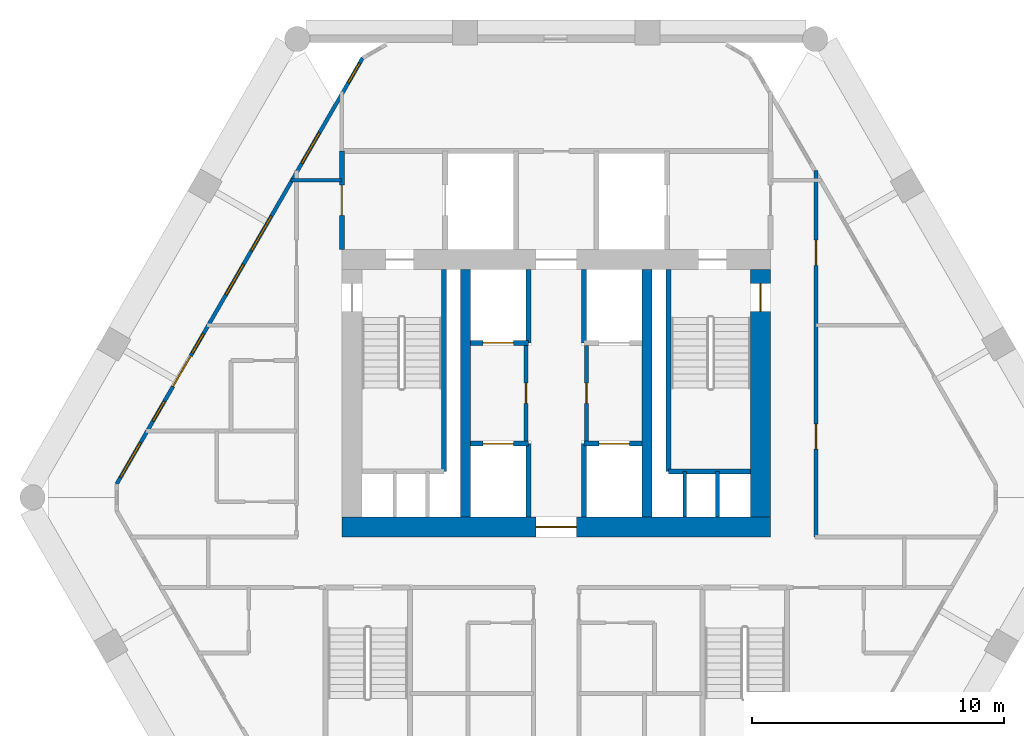
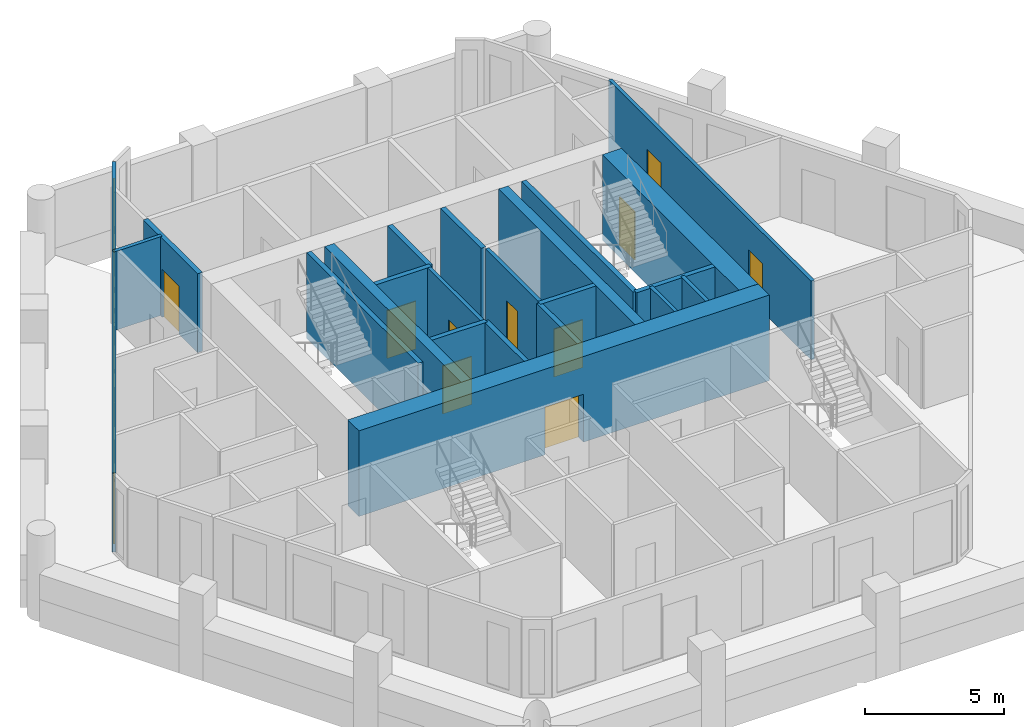
# One storey, part 4 of 7: 22 walls, 11 doors, 7 windows, 18 openings.
"""IFC4 building model written with IfcOpenShell, lengths in metres."""

from ifc_helpers import new_model, si_unit, direction, frame, frame_2d, origin, place, context, subcontext, project, spatial, rectangle, extrude, material, layer, layer_set, type_object, element, fill, save


model = new_model("IFC4")

# Units and contexts
model_context = context("Model", 3, precision=1e-05, world=origin(), true_north=direction((0.0, 1.0)))
body_context = subcontext(model_context, "Body", "Model", "MODEL_VIEW")
ifc_project = project(units=[si_unit("LENGTHUNIT", "METRE"), si_unit("AREAUNIT", "SQUARE_METRE"), si_unit("VOLUMEUNIT", "CUBIC_METRE"), si_unit("PLANEANGLEUNIT", "RADIAN"), si_unit("MASSUNIT", "GRAM", prefix="KILO")], contexts=[model_context])

# Site, building, storey
site_placement = place(None, origin())
site = spatial("IfcSite", under=ifc_project, at=site_placement, CompositionType="ELEMENT")
building_placement = place(site_placement, origin())
building = spatial("IfcBuilding", under=site, at=building_placement, Name="Ostrander Bayou Hotel Tower", CompositionType="ELEMENT")
storey_placement = place(building_placement, frame((0.0, 0.0, 157.0)))
storey = spatial("IfcBuildingStorey", under=building, at=storey_placement, Name="L38", CompositionType="ELEMENT", Elevation=157.0)

# Wall, opening, door
ifc_material_1 = material(Name="Concrete f'c 60 MPa", Category="concrete")
ifc_layer_1 = layer(ifc_material_1, 0.800048828125)
ifc_layer_set_1 = layer_set([ifc_layer_1], Name="CW7 core wall 800 mm f'c 60 MPa")
wall_type_1 = type_object("IfcWallType", Name="CW7 core wall 800 mm f'c 60 MPa", PredefinedType="SHEAR", material=ifc_layer_set_1)
wall_1_placement = place(storey_placement, frame((-8.5, -1.300048828125, -0.300048828125), z_axis=(0.0, 0.0, 1.0), x_axis=(1.0, 0.0, 0.0)))
wall_1 = element("IfcWall", 1, at=wall_1_placement, inside=storey, type_object=wall_type_1, Name="CW7 L38 S", PredefinedType="SHEAR", context=body_context, shape_type="SweptSolid", body=[
    extrude(rectangle(XDim=17.0, YDim=0.800048828125, at=frame_2d((8.5, 0.0))), origin(), (0.0, 0.0, 1.0), 3.75),
])
opening_1_placement = place(wall_1_placement, frame((7.699951171875, 0.0, 0.0)))
opening_1 = element("IfcOpeningElement", 2, at=opening_1_placement, cuts=wall_1, Name="Opening T38-005", PredefinedType="OPENING", context=body_context, shape_type="SweptSolid", body=[
    extrude(rectangle(XDim=1.60009765625, YDim=2.10009765625, at=frame_2d((0.800048828125, 1.050048828125))), frame((0.0, 0.39990234375, 0.0), z_axis=(0.0, -1.0, 0.0), x_axis=(1.0, 0.0, 0.0)), (0.0, 0.0, 1.0), 0.800048828125),
])
ifc_material_2 = material(Name="Timber door leaf", Category="wood")
door_type_1 = type_object("IfcDoorType", Name="D13 double door 1600 x 2100 mm, 1 hour", OperationType="SINGLE_SWING_LEFT", PredefinedType="DOOR", material=ifc_material_2)
door_1_placement = place(opening_1_placement, origin())
door_1 = element("IfcDoor", 3, at=door_1_placement, inside=storey, type_object=door_type_1, Name="dr:L38:005", OperationType="DOUBLE_DOOR_SINGLE_SWING", OverallHeight=2.10009765625, OverallWidth=1.60009765625, PredefinedType="DOOR", context=body_context, shape_type="SweptSolid", body=[
    extrude(rectangle(XDim=1.60009765625, YDim=2.10009765625, at=frame_2d((0.800048828125, 1.050048828125))), frame((0.0, 0.02490234375, 0.0), z_axis=(0.0, -1.0, 0.0), x_axis=(1.0, 0.0, 0.0)), (0.0, 0.0, 1.0), 0.050048828125),
])
fill(opening_1, door_1)

ifc_material_3 = material(Name="Concrete f'c 60 MPa", Category="concrete")
ifc_layer_2 = layer(ifc_material_3, 0.800048828125)
ifc_layer_set_2 = layer_set([ifc_layer_2], Name="CW8 core spine wall 800 mm f'c 60 MPa")
wall_type_2 = type_object("IfcWallType", Name="CW8 core spine wall 800 mm f'c 60 MPa", PredefinedType="SHEAR", material=ifc_layer_set_2)
wall_2_placement = place(storey_placement, frame((8.10009765625, -0.89990234375, -0.300048828125), z_axis=(0.0, 0.0, 1.0), x_axis=(0.0, 1.0, 0.0)))
wall_2 = element("IfcWall", 4, at=wall_2_placement, inside=storey, type_object=wall_type_2, Name="CW8 L38 E", PredefinedType="SHEAR", context=body_context, shape_type="SweptSolid", body=[
    extrude(rectangle(XDim=9.7998046875, YDim=0.800048828125, at=frame_2d((4.89990234375, 0.0))), origin(), (0.0, 0.0, 1.0), 3.75),
])
opening_2_placement = place(wall_2_placement, frame((8.14990234375, 0.0, 0.0)))
opening_2 = element("IfcOpeningElement", 5, at=opening_2_placement, cuts=wall_2, Name="Opening T38-010", PredefinedType="OPENING", context=body_context, shape_type="SweptSolid", body=[
    extrude(rectangle(XDim=1.10009765625, YDim=2.10009765625, at=frame_2d((0.550048828125, 1.050048828125))), frame((0.0, 0.39990234375, 0.0), z_axis=(0.0, -1.0, 0.0), x_axis=(1.0, 0.0, 0.0)), (0.0, 0.0, 1.0), 0.800048828125),
])
ifc_material_4 = material(Name="Timber door leaf", Category="wood")
door_type_2 = type_object("IfcDoorType", Name="D5 stair door 1100 x 2100 mm, 90 minute", OperationType="SINGLE_SWING_LEFT", PredefinedType="DOOR", material=ifc_material_4)
door_2_placement = place(opening_2_placement, origin())
door_2 = element("IfcDoor", 6, at=door_2_placement, inside=storey, type_object=door_type_2, Name="dr:L38:010", OperationType="SINGLE_SWING_LEFT", OverallHeight=2.10009765625, OverallWidth=1.10009765625, PredefinedType="DOOR", context=body_context, shape_type="SweptSolid", body=[
    extrude(rectangle(XDim=1.10009765625, YDim=2.10009765625, at=frame_2d((0.550048828125, 1.050048828125))), frame((0.0, 0.02490234375, 0.0), z_axis=(0.0, -1.0, 0.0), x_axis=(1.0, 0.0, 0.0)), (0.0, 0.0, 1.0), 0.050048828125),
])
fill(opening_2, door_2)

# Walls
ifc_material_5 = material(Name="Concrete f'c 60 MPa", Category="concrete")
ifc_layer_3 = layer(ifc_material_5, 0.39990234375)
ifc_layer_set_3 = layer_set([ifc_layer_3], Name="CW9 core bank wall 400 mm f'c 60 MPa")
wall_type_3 = type_object("IfcWallType", Name="CW9 core bank wall 400 mm f'c 60 MPa", PredefinedType="SHEAR", material=ifc_layer_set_3)
for number, where, z_axis, x_axis, name in (
    (7, (-3.60009765625, -0.89990234375, -0.300048828125), (0.0, 0.0, 1.0), (0.0, 1.0, 0.0), "CW9 L38 CW"),
    (8, (3.60009765625, -0.89990234375, -0.300048828125), (0.0, 0.0, 1.0), (0.0, 1.0, 0.0), "CW9 L38 CE"),
):
    element("IfcWall", number, at=place(storey_placement, frame(where, z_axis=z_axis, x_axis=x_axis)), inside=storey, type_object=wall_type_3, Name=name, PredefinedType="SHEAR", context=body_context, shape_type="SweptSolid", body=[
        extrude(rectangle(XDim=9.7998046875, YDim=0.39990234375, at=frame_2d((4.89990234375, 0.0))), origin(), (0.0, 0.0, 1.0), 3.75),
    ])

# Wall, openings, door, windows
ifc_material_6 = material(Name="Aluminium framed insulated wall", Category="aluminium")
ifc_layer_4 = layer(ifc_material_6, 0.14990234375)
ifc_layer_set_4 = layer_set([ifc_layer_4], Name="GW1 glass-line wall 150 mm")
wall_type_4 = type_object("IfcWallType", Name="GW1 glass-line wall 150 mm", PredefinedType="SOLIDWALL", material=ifc_layer_set_4)
wall_3_placement = place(storey_placement, frame((-7.67626953125, 17.29248046875, 0.0), z_axis=(0.0, 0.0, 1.0), x_axis=(-0.500000203029, -0.866025286565, 0.0)))
wall_3 = element("IfcWall", 9, at=wall_3_placement, inside=storey, type_object=wall_type_4, Name="GW1 L38 NW 1", PredefinedType="SOLIDWALL", context=body_context, shape_type="SweptSolid", body=[
    extrude(rectangle(XDim=19.50390625, YDim=0.14990234375, at=frame_2d((9.751953125, 0.0))), origin(), (0.0, 0.0, 1.0), 3.449951171875),
])
opening_3_placement = place(wall_3_placement, frame((3.419677734375, 0.0, 0.14990234375)))
opening_3 = element("IfcOpeningElement", 10, at=opening_3_placement, cuts=wall_3, Name="Opening W13", PredefinedType="OPENING", context=body_context, shape_type="SweptSolid", body=[
    extrude(rectangle(XDim=1.39990234375, YDim=2.85009765625, at=frame_2d((0.699951171875, 1.425048828125))), frame((0.0, 0.074951171875, 0.0), z_axis=(0.0, -1.0, 0.0), x_axis=(1.0, 0.0, 0.0)), (0.0, 0.0, 1.0), 0.14990234375),
])
opening_4_placement = place(wall_3_placement, frame((7.237548828125, 0.0, 0.14990234375)))
opening_4 = element("IfcOpeningElement", 11, at=opening_4_placement, cuts=wall_3, Name="Opening W3", PredefinedType="OPENING", context=body_context, shape_type="SweptSolid", body=[
    extrude(rectangle(XDim=1.60009765625, YDim=2.85009765625, at=frame_2d((0.800048828125, 1.425048828125))), frame((0.0, 0.074951171875, 0.0), z_axis=(0.0, -1.0, 0.0), x_axis=(1.0, 0.0, 0.0)), (0.0, 0.0, 1.0), 0.14990234375),
])
opening_5_placement = place(wall_3_placement, frame((9.4375, 0.0, 0.14990234375)))
opening_5 = element("IfcOpeningElement", 12, at=opening_5_placement, cuts=wall_3, Name="Opening W13", PredefinedType="OPENING", context=body_context, shape_type="SweptSolid", body=[
    extrude(rectangle(XDim=1.39990234375, YDim=2.85009765625, at=frame_2d((0.699951171875, 1.425048828125))), frame((0.0, 0.074951171875, 0.0), z_axis=(0.0, -1.0, 0.0), x_axis=(1.0, 0.0, 0.0)), (0.0, 0.0, 1.0), 0.14990234375),
])
opening_6_placement = place(wall_3_placement, frame((12.607177734375, 0.0, 0.14990234375)))
opening_6 = element("IfcOpeningElement", 13, at=opening_6_placement, cuts=wall_3, Name="Opening W17", PredefinedType="OPENING", context=body_context, shape_type="SweptSolid", body=[
    extrude(rectangle(XDim=0.89990234375, YDim=2.85009765625, at=frame_2d((0.449951171875, 1.425048828125))), frame((0.0, 0.074951171875, 0.0), z_axis=(0.0, -1.0, 0.0), x_axis=(1.0, 0.0, 0.0)), (0.0, 0.0, 1.0), 0.14990234375),
])
opening_7_placement = place(wall_3_placement, frame((13.6376953125, 0.0, 0.0)))
opening_7 = element("IfcOpeningElement", 14, at=opening_7_placement, cuts=wall_3, Name="Opening T38-800", PredefinedType="OPENING", context=body_context, shape_type="SweptSolid", body=[
    extrude(rectangle(XDim=1.39990234375, YDim=2.39990234375, at=frame_2d((0.699951171875, 1.199951171875))), frame((0.0, 0.074951171875, 0.0), z_axis=(0.0, -1.0, 0.0), x_axis=(1.0, 0.0, 0.0)), (0.0, 0.0, 1.0), 0.14990234375),
])
opening_8_placement = place(wall_3_placement, frame((0.234619140625, 0.0, 0.14990234375)))
opening_8 = element("IfcOpeningElement", 15, at=opening_8_placement, cuts=wall_3, Name="Opening W17", PredefinedType="OPENING", context=body_context, shape_type="SweptSolid", body=[
    extrude(rectangle(XDim=0.89990234375, YDim=2.72998046875, at=frame_2d((0.449951171875, 1.364990234375))), frame((0.0, 0.074951171875, 0.0), z_axis=(0.0, -1.0, 0.0), x_axis=(1.0, 0.0, 0.0)), (0.0, 0.0, 1.0), 0.14990234375),
])
opening_9_placement = place(wall_3_placement, frame((15.722412109375, 0.0, 0.14990234375)))
opening_9 = element("IfcOpeningElement", 16, at=opening_9_placement, cuts=wall_3, Name="Opening W17", PredefinedType="OPENING", context=body_context, shape_type="SweptSolid", body=[
    extrude(rectangle(XDim=0.89990234375, YDim=2.72998046875, at=frame_2d((0.449951171875, 1.364990234375))), frame((0.0, 0.074951171875, 0.0), z_axis=(0.0, -1.0, 0.0), x_axis=(1.0, 0.0, 0.0)), (0.0, 0.0, 1.0), 0.14990234375),
])
opening_10_placement = place(wall_3_placement, frame((17.60546875, 0.0, 0.14990234375)))
opening_10 = element("IfcOpeningElement", 17, at=opening_10_placement, cuts=wall_3, Name="Opening W3", PredefinedType="OPENING", context=body_context, shape_type="SweptSolid", body=[
    extrude(rectangle(XDim=1.60009765625, YDim=2.72998046875, at=frame_2d((0.800048828125, 1.364990234375))), frame((0.0, 0.074951171875, 0.0), z_axis=(0.0, -1.0, 0.0), x_axis=(1.0, 0.0, 0.0)), (0.0, 0.0, 1.0), 0.14990234375),
])
ifc_material_7 = material(Name="Aluminium and clear glass", Category="aluminium")
door_type_3 = type_object("IfcDoorType", Name="SD3 sliding glass door 1400 mm, zone 3", OperationType="SLIDING_TO_LEFT", PredefinedType="DOOR", material=ifc_material_7)
door_3_placement = place(opening_7_placement, origin())
door_3 = element("IfcDoor", 18, at=door_3_placement, inside=storey, type_object=door_type_3, Name="SD3 L38 NW 3", OperationType="SLIDING_TO_LEFT", OverallHeight=2.39990234375, OverallWidth=1.39990234375, PredefinedType="DOOR", context=body_context, shape_type="SweptSolid", body=[
    extrude(rectangle(XDim=1.39990234375, YDim=2.39990234375, at=frame_2d((0.699951171875, 1.199951171875))), frame((0.0, 0.02490234375, 0.0), z_axis=(0.0, -1.0, 0.0), x_axis=(1.0, 0.0, 0.0)), (0.0, 0.0, 1.0), 0.050048828125),
])
fill(opening_7, door_3)
ifc_material_8 = material(Name="Aluminium and clear glass", Category="aluminium")
window_type_1 = type_object("IfcWindowType", Name="W13 fixed window 1400 mm, bath bay, zone 3", PartitioningType="SINGLE_PANEL", PredefinedType="WINDOW", material=ifc_material_8)
window_1_placement = place(opening_3_placement, origin())
window_1 = element("IfcWindow", 19, at=window_1_placement, inside=storey, type_object=window_type_1, Name="W13 L38 NW 1", OverallHeight=2.85009765625, OverallWidth=1.39990234375, PartitioningType="SINGLE_PANEL", PredefinedType="WINDOW", context=body_context, shape_type="SweptSolid", body=[
    extrude(rectangle(XDim=1.39990234375, YDim=2.85009765625, at=frame_2d((0.699951171875, 1.425048828125))), frame((0.0, 0.030029296875, 0.0), z_axis=(0.0, -1.0, 0.0), x_axis=(1.0, 0.0, 0.0)), (0.0, 0.0, 1.0), 0.06005859375),
])
fill(opening_3, window_1)
window_2_placement = place(opening_5_placement, origin())
window_2 = element("IfcWindow", 20, at=window_2_placement, inside=storey, type_object=window_type_1, Name="W13 L38 NW 2", OverallHeight=2.85009765625, OverallWidth=1.39990234375, PartitioningType="SINGLE_PANEL", PredefinedType="WINDOW", context=body_context, shape_type="SweptSolid", body=[
    extrude(rectangle(XDim=1.39990234375, YDim=2.85009765625, at=frame_2d((0.699951171875, 1.425048828125))), frame((0.0, 0.030029296875, 0.0), z_axis=(0.0, -1.0, 0.0), x_axis=(1.0, 0.0, 0.0)), (0.0, 0.0, 1.0), 0.06005859375),
])
fill(opening_5, window_2)
ifc_material_9 = material(Name="Aluminium and clear glass", Category="aluminium")
window_type_2 = type_object("IfcWindowType", Name="W17 window 900 mm, zone 3", PartitioningType="SINGLE_PANEL", PredefinedType="WINDOW", material=ifc_material_9)
window_3_placement = place(opening_6_placement, origin())
window_3 = element("IfcWindow", 21, at=window_3_placement, inside=storey, type_object=window_type_2, Name="W17 L38 NW 3", OverallHeight=2.85009765625, OverallWidth=0.89990234375, PartitioningType="SINGLE_PANEL", PredefinedType="WINDOW", context=body_context, shape_type="SweptSolid", body=[
    extrude(rectangle(XDim=0.89990234375, YDim=2.85009765625, at=frame_2d((0.449951171875, 1.425048828125))), frame((0.0, 0.030029296875, 0.0), z_axis=(0.0, -1.0, 0.0), x_axis=(1.0, 0.0, 0.0)), (0.0, 0.0, 1.0), 0.06005859375),
])
fill(opening_6, window_3)
window_4_placement = place(opening_8_placement, origin())
window_4 = element("IfcWindow", 22, at=window_4_placement, inside=storey, type_object=window_type_2, Name="W17 L38 NW E11", OverallHeight=2.72998046875, OverallWidth=0.89990234375, PartitioningType="SINGLE_PANEL", PredefinedType="WINDOW", context=body_context, shape_type="SweptSolid", body=[
    extrude(rectangle(XDim=0.89990234375, YDim=2.72998046875, at=frame_2d((0.449951171875, 1.364990234375))), frame((0.0, 0.030029296875, 0.0), z_axis=(0.0, -1.0, 0.0), x_axis=(1.0, 0.0, 0.0)), (0.0, 0.0, 1.0), 0.06005859375),
])
fill(opening_8, window_4)
window_5_placement = place(opening_9_placement, origin())
window_5 = element("IfcWindow", 23, at=window_5_placement, inside=storey, type_object=window_type_2, Name="W17 L38 NW E21", OverallHeight=2.72998046875, OverallWidth=0.89990234375, PartitioningType="SINGLE_PANEL", PredefinedType="WINDOW", context=body_context, shape_type="SweptSolid", body=[
    extrude(rectangle(XDim=0.89990234375, YDim=2.72998046875, at=frame_2d((0.449951171875, 1.364990234375))), frame((0.0, 0.030029296875, 0.0), z_axis=(0.0, -1.0, 0.0), x_axis=(1.0, 0.0, 0.0)), (0.0, 0.0, 1.0), 0.06005859375),
])
fill(opening_9, window_5)
ifc_material_10 = material(Name="Aluminium and clear glass", Category="aluminium")
window_type_3 = type_object("IfcWindowType", Name="W3 fixed window 1600 mm, zone 3", PartitioningType="SINGLE_PANEL", PredefinedType="WINDOW", material=ifc_material_10)
window_6_placement = place(opening_4_placement, origin())
window_6 = element("IfcWindow", 24, at=window_6_placement, inside=storey, type_object=window_type_3, Name="W3 L38 NW 2", OverallHeight=2.85009765625, OverallWidth=1.60009765625, PartitioningType="SINGLE_PANEL", PredefinedType="WINDOW", context=body_context, shape_type="SweptSolid", body=[
    extrude(rectangle(XDim=1.60009765625, YDim=2.85009765625, at=frame_2d((0.800048828125, 1.425048828125))), frame((0.0, 0.030029296875, 0.0), z_axis=(0.0, -1.0, 0.0), x_axis=(1.0, 0.0, 0.0)), (0.0, 0.0, 1.0), 0.06005859375),
])
fill(opening_4, window_6)
window_7_placement = place(opening_10_placement, origin())
window_7 = element("IfcWindow", 25, at=window_7_placement, inside=storey, type_object=window_type_3, Name="W3 L38 NW E22", OverallHeight=2.72998046875, OverallWidth=1.60009765625, PartitioningType="SINGLE_PANEL", PredefinedType="WINDOW", context=body_context, shape_type="SweptSolid", body=[
    extrude(rectangle(XDim=1.60009765625, YDim=2.72998046875, at=frame_2d((0.800048828125, 1.364990234375))), frame((0.0, 0.030029296875, 0.0), z_axis=(0.0, -1.0, 0.0), x_axis=(1.0, 0.0, 0.0)), (0.0, 0.0, 1.0), 0.06005859375),
])
fill(opening_10, window_7)

# Wall, opening, door
ifc_material_11 = material(Name="Masonry block", Category="masonry")
ifc_layer_5 = layer(ifc_material_11, 0.199951171875)
ifc_layer_set_5 = layer_set([ifc_layer_5], Name="PT5 stair enclosure wall 200 mm masonry, 2 hour")
wall_type_5 = type_object("IfcWallType", Name="PT5 stair enclosure wall 200 mm masonry, 2 hour", PredefinedType="PARTITIONING", material=ifc_layer_set_5)
wall_4_placement = place(storey_placement, frame((-8.5, 9.699951171875, 0.0), z_axis=(0.0, 0.0, 1.0), x_axis=(0.0, 1.0, 0.0)))
wall_4 = element("IfcWall", 26, at=wall_4_placement, inside=storey, type_object=wall_type_5, Name="cs:L38:028", PredefinedType="PARTITIONING", context=body_context, shape_type="SweptSolid", body=[
    extrude(rectangle(XDim=3.900146484375, YDim=0.199951171875, at=frame_2d((1.9501953125, 0.0))), origin(), (0.0, 0.0, 1.0), 3.449951171875),
])
opening_11_placement = place(wall_4_placement, frame((1.35009765625, 0.0, 0.0)))
opening_11 = element("IfcOpeningElement", 27, at=opening_11_placement, cuts=wall_4, Name="Opening T38-014", PredefinedType="OPENING", context=body_context, shape_type="SweptSolid", body=[
    extrude(rectangle(XDim=1.199951171875, YDim=2.10009765625, at=frame_2d((0.60009765625, 1.050048828125))), frame((0.0, 0.10009765625, 0.0), z_axis=(0.0, -1.0, 0.0), x_axis=(1.0, 0.0, 0.0)), (0.0, 0.0, 1.0), 0.199951171875),
])
ifc_material_12 = material(Name="Timber door leaf", Category="wood")
door_type_4 = type_object("IfcDoorType", Name="D7 lobby door 1200 x 2100 mm, 1 hour", OperationType="SINGLE_SWING_LEFT", PredefinedType="DOOR", material=ifc_material_12)
door_4_placement = place(opening_11_placement, origin())
door_4 = element("IfcDoor", 28, at=door_4_placement, inside=storey, type_object=door_type_4, Name="dr:L38:014", OperationType="SINGLE_SWING_LEFT", OverallHeight=2.10009765625, OverallWidth=1.199951171875, PredefinedType="DOOR", context=body_context, shape_type="SweptSolid", body=[
    extrude(rectangle(XDim=1.199951171875, YDim=2.10009765625, at=frame_2d((0.60009765625, 1.050048828125))), frame((0.0, 0.02490234375, 0.0), z_axis=(0.0, -1.0, 0.0), x_axis=(1.0, 0.0, 0.0)), (0.0, 0.0, 1.0), 0.050048828125),
])
fill(opening_11, door_4)

ifc_material_13 = material(Name="Masonry block", Category="masonry")
ifc_layer_6 = layer(ifc_material_13, 0.199951171875)
ifc_layer_set_6 = layer_set([ifc_layer_6], Name="PT6 lift shaft wall 200 mm masonry, 2 hour")
wall_type_6 = type_object("IfcWallType", Name="PT6 lift shaft wall 200 mm masonry, 2 hour", PredefinedType="PARTITIONING", material=ifc_layer_set_6)
wall_5_placement = place(storey_placement, frame((-3.39990234375, 2.0, 0.0), z_axis=(0.0, 0.0, 1.0), x_axis=(1.0, 0.0, 0.0)))
wall_5 = element("IfcWall", 29, at=wall_5_placement, inside=storey, type_object=wall_type_6, Name="cs:L38:001", PredefinedType="PARTITIONING", context=body_context, shape_type="SweptSolid", body=[
    extrude(rectangle(XDim=2.2998046875, YDim=0.199951171875, at=frame_2d((1.14990234375, 0.0))), origin(), (0.0, 0.0, 1.0), 3.449951171875),
])
opening_12_placement = place(wall_5_placement, frame((0.5, 0.0, 0.0)))
opening_12 = element("IfcOpeningElement", 30, at=opening_12_placement, cuts=wall_5, Name="Opening T38-001", PredefinedType="OPENING", context=body_context, shape_type="SweptSolid", body=[
    extrude(rectangle(XDim=1.199951171875, YDim=2.10009765625, at=frame_2d((0.60009765625, 1.050048828125))), frame((0.0, 0.10009765625, 0.0), z_axis=(0.0, -1.0, 0.0), x_axis=(1.0, 0.0, 0.0)), (0.0, 0.0, 1.0), 0.199951171875),
])
ifc_material_14 = material(Name="Stainless steel sliding door", Category="steel")
door_type_5 = type_object("IfcDoorType", Name="LD1 lift landing door 1200 x 2100 mm", OperationType="SINGLE_SWING_LEFT", PredefinedType="DOOR", material=ifc_material_14)
door_5_placement = place(opening_12_placement, origin())
door_5 = element("IfcDoor", 31, at=door_5_placement, inside=storey, type_object=door_type_5, Name="dr:L38:001", OperationType="SLIDING_TO_LEFT", OverallHeight=2.10009765625, OverallWidth=1.199951171875, PredefinedType="DOOR", context=body_context, shape_type="SweptSolid", body=[
    extrude(rectangle(XDim=1.199951171875, YDim=2.10009765625, at=frame_2d((0.60009765625, 1.050048828125))), frame((0.0, 0.02490234375, 0.0), z_axis=(0.0, -1.0, 0.0), x_axis=(1.0, 0.0, 0.0)), (0.0, 0.0, 1.0), 0.050048828125),
])
fill(opening_12, door_5)

wall_6_placement = place(storey_placement, frame((-3.39990234375, 6.0, 0.0), z_axis=(0.0, 0.0, 1.0), x_axis=(1.0, 0.0, 0.0)))
wall_6 = element("IfcWall", 32, at=wall_6_placement, inside=storey, type_object=wall_type_6, Name="cs:L38:002", PredefinedType="PARTITIONING", context=body_context, shape_type="SweptSolid", body=[
    extrude(rectangle(XDim=2.2998046875, YDim=0.199951171875, at=frame_2d((1.14990234375, 0.0))), origin(), (0.0, 0.0, 1.0), 3.449951171875),
])
opening_13_placement = place(wall_6_placement, frame((0.5, 0.0, 0.0)))
opening_13 = element("IfcOpeningElement", 33, at=opening_13_placement, cuts=wall_6, Name="Opening T38-003", PredefinedType="OPENING", context=body_context, shape_type="SweptSolid", body=[
    extrude(rectangle(XDim=1.199951171875, YDim=2.10009765625, at=frame_2d((0.60009765625, 1.050048828125))), frame((0.0, 0.10009765625, 0.0), z_axis=(0.0, -1.0, 0.0), x_axis=(1.0, 0.0, 0.0)), (0.0, 0.0, 1.0), 0.199951171875),
])
door_6_placement = place(opening_13_placement, origin())
door_6 = element("IfcDoor", 34, at=door_6_placement, inside=storey, type_object=door_type_5, Name="dr:L38:003", OperationType="SLIDING_TO_LEFT", OverallHeight=2.10009765625, OverallWidth=1.199951171875, PredefinedType="DOOR", context=body_context, shape_type="SweptSolid", body=[
    extrude(rectangle(XDim=1.199951171875, YDim=2.10009765625, at=frame_2d((0.60009765625, 1.050048828125))), frame((0.0, 0.02490234375, 0.0), z_axis=(0.0, -1.0, 0.0), x_axis=(1.0, 0.0, 0.0)), (0.0, 0.0, 1.0), 0.050048828125),
])
fill(opening_13, door_6)

wall_7_placement = place(storey_placement, frame((1.10009765625, 2.0, 0.0), z_axis=(0.0, 0.0, 1.0), x_axis=(1.0, 0.0, 0.0)))
wall_7 = element("IfcWall", 35, at=wall_7_placement, inside=storey, type_object=wall_type_6, Name="cs:L38:003", PredefinedType="PARTITIONING", context=body_context, shape_type="SweptSolid", body=[
    extrude(rectangle(XDim=2.2998046875, YDim=0.199951171875, at=frame_2d((1.14990234375, 0.0))), origin(), (0.0, 0.0, 1.0), 3.449951171875),
])
opening_14_placement = place(wall_7_placement, frame((0.60009765625, 0.0, 0.0)))
opening_14 = element("IfcOpeningElement", 36, at=opening_14_placement, cuts=wall_7, Name="Opening T38-002", PredefinedType="OPENING", context=body_context, shape_type="SweptSolid", body=[
    extrude(rectangle(XDim=1.199951171875, YDim=2.10009765625, at=frame_2d((0.60009765625, 1.050048828125))), frame((0.0, 0.10009765625, 0.0), z_axis=(0.0, -1.0, 0.0), x_axis=(1.0, 0.0, 0.0)), (0.0, 0.0, 1.0), 0.199951171875),
])
door_7_placement = place(opening_14_placement, origin())
door_7 = element("IfcDoor", 37, at=door_7_placement, inside=storey, type_object=door_type_5, Name="dr:L38:002", OperationType="SLIDING_TO_LEFT", OverallHeight=2.10009765625, OverallWidth=1.199951171875, PredefinedType="DOOR", context=body_context, shape_type="SweptSolid", body=[
    extrude(rectangle(XDim=1.199951171875, YDim=2.10009765625, at=frame_2d((0.60009765625, 1.050048828125))), frame((0.0, 0.02490234375, 0.0), z_axis=(0.0, -1.0, 0.0), x_axis=(1.0, 0.0, 0.0)), (0.0, 0.0, 1.0), 0.050048828125),
])
fill(opening_14, door_7)

# Walls
for number, where, z_axis, x_axis, name in (
    (38, (-1.10009765625, -0.89990234375, 0.0), (0.0, 0.0, 1.0), (0.0, 1.0, 0.0), "cs:L38:005"),
    (39, (1.10009765625, -0.89990234375, 0.0), (0.0, 0.0, 1.0), (0.0, 1.0, 0.0), "cs:L38:006"),
    (40, (-1.10009765625, 6.0, 0.0), (0.0, 0.0, 1.0), (0.0, 1.0, 0.0), "cs:L38:007"),
    (41, (1.10009765625, 6.0, 0.0), (0.0, 0.0, 1.0), (0.0, 1.0, 0.0), "cs:L38:008"),
):
    element("IfcWall", number, at=place(storey_placement, frame(where, z_axis=z_axis, x_axis=x_axis)), inside=storey, type_object=wall_type_6, Name=name, PredefinedType="PARTITIONING", context=body_context, shape_type="SweptSolid", body=[
        extrude(rectangle(XDim=2.89990234375, YDim=0.199951171875, at=frame_2d((1.449951171875, 0.0))), origin(), (0.0, 0.0, 1.0), 3.449951171875),
    ])
ifc_material_15 = material(Name="Gypsum board partition", Category="finish")
ifc_layer_7 = layer(ifc_material_15, 0.14990234375)
ifc_layer_set_7 = layer_set([ifc_layer_7], Name="PT7 riser wall 150 mm, 2 hour")
wall_type_7 = type_object("IfcWallType", Name="PT7 riser wall 150 mm, 2 hour", PredefinedType="PARTITIONING", material=ifc_layer_set_7)
for number, where, z_axis, x_axis, name in (
    (42, (5.10009765625, -0.89990234375, 0.0), (0.0, 0.0, 1.0), (0.0, 1.0, 0.0), "cs:L38:015"),
    (43, (6.39990234375, -0.89990234375, 0.0), (0.0, 0.0, 1.0), (0.0, 1.0, 0.0), "cs:L38:016"),
):
    element("IfcWall", number, at=place(storey_placement, frame(where, z_axis=z_axis, x_axis=x_axis)), inside=storey, type_object=wall_type_7, Name=name, PredefinedType="PARTITIONING", context=body_context, shape_type="SweptSolid", body=[
        extrude(rectangle(XDim=1.7998046875, YDim=0.14990234375, at=frame_2d((0.89990234375, 0.0))), origin(), (0.0, 0.0, 1.0), 3.449951171875),
    ])

# Wall, opening, door
wall_8_placement = place(storey_placement, frame((-1.199951171875, 2.10009765625, 0.0), z_axis=(0.0, 0.0, 1.0), x_axis=(0.0, 1.0, 0.0)))
wall_8 = element("IfcWall", 44, at=wall_8_placement, inside=storey, type_object=wall_type_7, Name="cs:L38:034", PredefinedType="PARTITIONING", context=body_context, shape_type="SweptSolid", body=[
    extrude(rectangle(XDim=3.7998046875, YDim=0.14990234375, at=frame_2d((1.89990234375, 0.0))), origin(), (0.0, 0.0, 1.0), 3.449951171875),
])
opening_15_placement = place(wall_8_placement, frame((1.5, 0.0, 0.0)))
opening_15 = element("IfcOpeningElement", 45, at=opening_15_placement, cuts=wall_8, Name="Opening T38-018", PredefinedType="OPENING", context=body_context, shape_type="SweptSolid", body=[
    extrude(rectangle(XDim=0.800048828125, YDim=2.10009765625, at=frame_2d((0.39990234375, 1.050048828125))), frame((0.0, 0.074951171875, 0.0), z_axis=(0.0, -1.0, 0.0), x_axis=(1.0, 0.0, 0.0)), (0.0, 0.0, 1.0), 0.14990234375),
])
ifc_material_16 = material(Name="Timber door leaf", Category="wood")
door_type_6 = type_object("IfcDoorType", Name="D6 riser door 800 x 2100 mm, 90 minute", OperationType="SINGLE_SWING_LEFT", PredefinedType="DOOR", material=ifc_material_16)
door_8_placement = place(opening_15_placement, origin())
door_8 = element("IfcDoor", 46, at=door_8_placement, inside=storey, type_object=door_type_6, Name="dr:L38:018", OperationType="SINGLE_SWING_LEFT", OverallHeight=2.10009765625, OverallWidth=0.800048828125, PredefinedType="DOOR", context=body_context, shape_type="SweptSolid", body=[
    extrude(rectangle(XDim=0.800048828125, YDim=2.10009765625, at=frame_2d((0.39990234375, 1.050048828125))), frame((0.0, 0.02490234375, 0.0), z_axis=(0.0, -1.0, 0.0), x_axis=(1.0, 0.0, 0.0)), (0.0, 0.0, 1.0), 0.050048828125),
])
fill(opening_15, door_8)

wall_9_placement = place(storey_placement, frame((1.199951171875, 2.10009765625, 0.0), z_axis=(0.0, 0.0, 1.0), x_axis=(0.0, 1.0, 0.0)))
wall_9 = element("IfcWall", 47, at=wall_9_placement, inside=storey, type_object=wall_type_7, Name="cs:L38:035", PredefinedType="PARTITIONING", context=body_context, shape_type="SweptSolid", body=[
    extrude(rectangle(XDim=3.7998046875, YDim=0.14990234375, at=frame_2d((1.89990234375, 0.0))), origin(), (0.0, 0.0, 1.0), 3.449951171875),
])
opening_16_placement = place(wall_9_placement, frame((1.5, 0.0, 0.0)))
opening_16 = element("IfcOpeningElement", 48, at=opening_16_placement, cuts=wall_9, Name="Opening T38-019", PredefinedType="OPENING", context=body_context, shape_type="SweptSolid", body=[
    extrude(rectangle(XDim=0.800048828125, YDim=2.10009765625, at=frame_2d((0.39990234375, 1.050048828125))), frame((0.0, 0.074951171875, 0.0), z_axis=(0.0, -1.0, 0.0), x_axis=(1.0, 0.0, 0.0)), (0.0, 0.0, 1.0), 0.14990234375),
])
door_9_placement = place(opening_16_placement, origin())
door_9 = element("IfcDoor", 49, at=door_9_placement, inside=storey, type_object=door_type_6, Name="dr:L38:019", OperationType="SINGLE_SWING_RIGHT", OverallHeight=2.10009765625, OverallWidth=0.800048828125, PredefinedType="DOOR", context=body_context, shape_type="SweptSolid", body=[
    extrude(rectangle(XDim=0.800048828125, YDim=2.10009765625, at=frame_2d((0.39990234375, 1.050048828125))), frame((0.0, 0.02490234375, 0.0), z_axis=(0.0, -1.0, 0.0), x_axis=(1.0, 0.0, 0.0)), (0.0, 0.0, 1.0), 0.050048828125),
])
fill(opening_16, door_9)

# Wall
ifc_material_17 = material(Name="Gypsum board partition", Category="finish")
ifc_layer_8 = layer(ifc_material_17, 0.14990234375)
ifc_layer_set_8 = layer_set([ifc_layer_8], Name="PT8 service band wall 150 mm, 1 hour")
wall_type_8 = type_object("IfcWallType", Name="PT8 service band wall 150 mm, 1 hour", PredefinedType="PARTITIONING", material=ifc_layer_set_8)
wall_10_placement = place(storey_placement, frame((-10.52392578125, 12.449951171875, 0.0), z_axis=(0.0, 0.0, 1.0), x_axis=(1.0, 0.0, 0.0)))
element("IfcWall", 50, at=wall_10_placement, inside=storey, type_object=wall_type_8, Name="gw:L38:021", PredefinedType="PARTITIONING", context=body_context, shape_type="SweptSolid", body=[
    extrude(rectangle(XDim=2.013916015625, YDim=0.14990234375, at=frame_2d((1.0068359375, 0.0))), origin(), (0.0, 0.0, 1.0), 3.449951171875),
])

# Wall, openings, doors
wall_11_placement = place(storey_placement, frame((10.300048828125, -1.699951171875, 0.0), z_axis=(0.0, 0.0, 1.0), x_axis=(0.0, 1.0, 0.0)))
wall_11 = element("IfcWall", 51, at=wall_11_placement, inside=storey, type_object=wall_type_8, Name="gw:L38:025", PredefinedType="PARTITIONING", context=body_context, shape_type="SweptSolid", body=[
    extrude(rectangle(XDim=14.537841796875, YDim=0.14990234375, at=frame_2d((7.26904296875, 0.0))), origin(), (0.0, 0.0, 1.0), 3.449951171875),
])
opening_17_placement = place(wall_11_placement, frame((3.48291015625, 0.0, 0.0)))
opening_17 = element("IfcOpeningElement", 52, at=opening_17_placement, cuts=wall_11, Name="Opening T38-417", PredefinedType="OPENING", context=body_context, shape_type="SweptSolid", body=[
    extrude(rectangle(XDim=1.0, YDim=2.10009765625, at=frame_2d((0.5, 1.050048828125))), frame((0.0, 0.074951171875, 0.0), z_axis=(0.0, -1.0, 0.0), x_axis=(1.0, 0.0, 0.0)), (0.0, 0.0, 1.0), 0.14990234375),
])
opening_18_placement = place(wall_11_placement, frame((10.77490234375, 0.0, 0.0)))
opening_18 = element("IfcOpeningElement", 53, at=opening_18_placement, cuts=wall_11, Name="Opening T38-418", PredefinedType="OPENING", context=body_context, shape_type="SweptSolid", body=[
    extrude(rectangle(XDim=1.0, YDim=2.10009765625, at=frame_2d((0.5, 1.050048828125))), frame((0.0, 0.074951171875, 0.0), z_axis=(0.0, -1.0, 0.0), x_axis=(1.0, 0.0, 0.0)), (0.0, 0.0, 1.0), 0.14990234375),
])
ifc_material_18 = material(Name="Timber door leaf", Category="wood")
door_type_7 = type_object("IfcDoorType", Name="D15 room door 1000 x 2100 mm", OperationType="SINGLE_SWING_LEFT", PredefinedType="DOOR", material=ifc_material_18)
door_10_placement = place(opening_17_placement, origin())
door_10 = element("IfcDoor", 54, at=door_10_placement, inside=storey, type_object=door_type_7, Name="dr:L38:417", OperationType="SINGLE_SWING_LEFT", OverallHeight=2.10009765625, OverallWidth=1.0, PredefinedType="DOOR", context=body_context, shape_type="SweptSolid", body=[
    extrude(rectangle(XDim=1.0, YDim=2.10009765625, at=frame_2d((0.5, 1.050048828125))), frame((0.0, 0.02490234375, 0.0), z_axis=(0.0, -1.0, 0.0), x_axis=(1.0, 0.0, 0.0)), (0.0, 0.0, 1.0), 0.050048828125),
])
fill(opening_17, door_10)
ifc_material_19 = material(Name="Timber door leaf", Category="wood")
door_type_8 = type_object("IfcDoorType", Name="D9 service door 1000 x 2100 mm, 30 minute", OperationType="SINGLE_SWING_LEFT", PredefinedType="DOOR", material=ifc_material_19)
door_11_placement = place(opening_18_placement, origin())
door_11 = element("IfcDoor", 55, at=door_11_placement, inside=storey, type_object=door_type_8, Name="dr:L38:418", OperationType="SINGLE_SWING_LEFT", OverallHeight=2.10009765625, OverallWidth=1.0, PredefinedType="DOOR", context=body_context, shape_type="SweptSolid", body=[
    extrude(rectangle(XDim=1.0, YDim=2.10009765625, at=frame_2d((0.5, 1.050048828125))), frame((0.0, 0.02490234375, 0.0), z_axis=(0.0, -1.0, 0.0), x_axis=(1.0, 0.0, 0.0)), (0.0, 0.0, 1.0), 0.050048828125),
])
fill(opening_18, door_11)

# Walls
ifc_material_20 = material(Name="Concrete f'c 45 MPa", Category="concrete")
ifc_layer_9 = layer(ifc_material_20, 0.199951171875)
ifc_layer_set_9 = layer_set([ifc_layer_9], Name="SW5 stair enclosure wall 200 mm f'c 45 MPa")
wall_type_9 = type_object("IfcWallType", Name="SW5 stair enclosure wall 200 mm f'c 45 MPa", PredefinedType="SOLIDWALL", material=ifc_layer_set_9)
for number, where, z_axis, x_axis, name in (
    (56, (-4.449951171875, 0.89990234375, -0.300048828125), (0.0, 0.0, 1.0), (0.0, 1.0, 0.0), "cs:L38:009"),
    (57, (4.449951171875, 0.89990234375, -0.300048828125), (0.0, 0.0, 1.0), (0.0, 1.0, 0.0), "cs:L38:013"),
):
    element("IfcWall", number, at=place(storey_placement, frame(where, z_axis=z_axis, x_axis=x_axis)), inside=storey, type_object=wall_type_9, Name=name, PredefinedType="SOLIDWALL", context=body_context, shape_type="SweptSolid", body=[
        extrude(rectangle(XDim=8.0, YDim=0.199951171875, at=frame_2d((4.0, 0.0))), origin(), (0.0, 0.0, 1.0), 3.75),
    ])
wall_12_placement = place(storey_placement, frame((4.449951171875, 0.89990234375, -0.300048828125), z_axis=(0.0, 0.0, 1.0), x_axis=(1.0, 0.0, 0.0)))
element("IfcWall", 58, at=wall_12_placement, inside=storey, type_object=wall_type_9, Name="cs:L38:014", PredefinedType="SOLIDWALL", context=body_context, shape_type="SweptSolid", body=[
    extrude(rectangle(XDim=3.25, YDim=0.199951171875, at=frame_2d((1.625, 0.0))), origin(), (0.0, 0.0, 1.0), 3.75),
])

save(model, "model.ifc")
